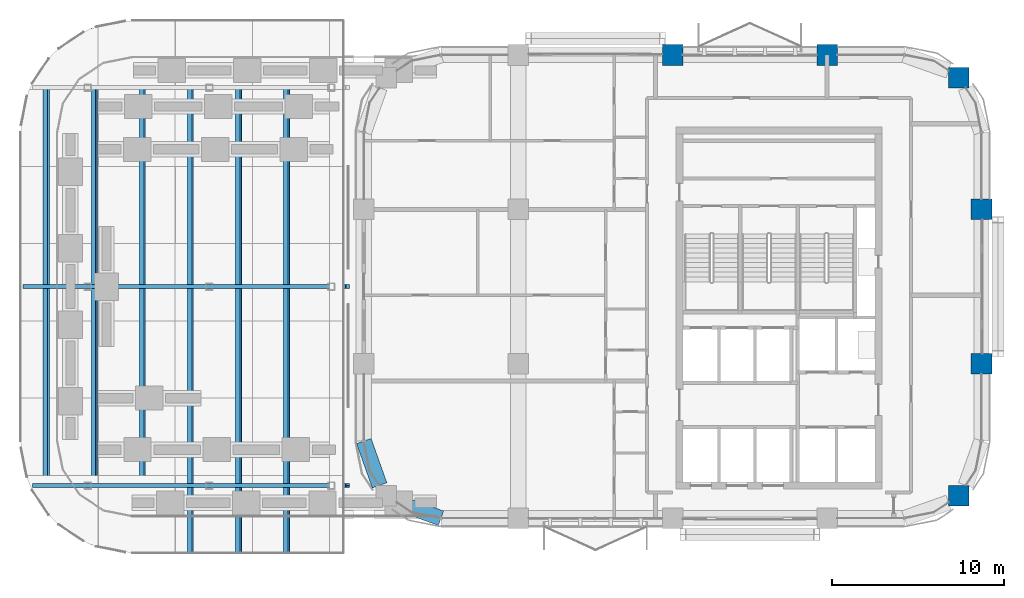
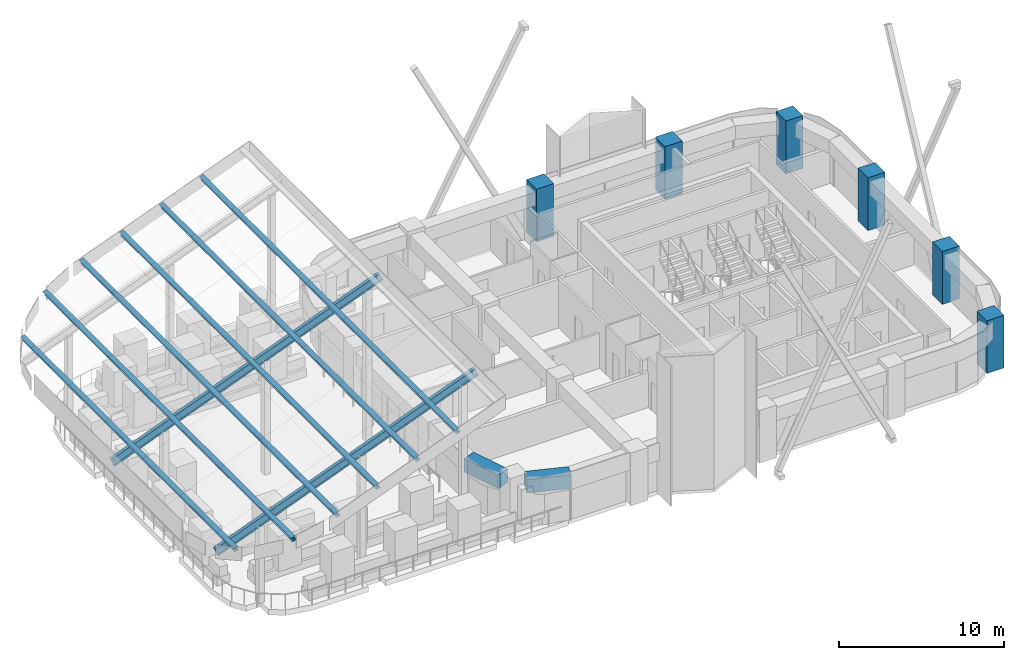
# One storey, part 2 of 13: 8 members, 6 columns, 2 beams.
"""IFC4 building model written with IfcOpenShell, lengths in metres."""

from ifc_helpers import new_model, si_unit, direction, frame, origin, origin_2d, place, context, subcontext, project, spatial, rectangle, i_section, extrude, material, material_profile, profile_set, type_object, element, save


model = new_model("IFC4")

# Units and contexts
model_context = context("Model", 3, precision=1e-05, world=origin(), true_north=direction((0.0, 1.0)))
body_context = subcontext(model_context, "Body", "Model", "MODEL_VIEW")
ifc_project = project(units=[si_unit("LENGTHUNIT", "METRE"), si_unit("AREAUNIT", "SQUARE_METRE"), si_unit("VOLUMEUNIT", "CUBIC_METRE"), si_unit("PLANEANGLEUNIT", "RADIAN"), si_unit("MASSUNIT", "GRAM", prefix="KILO")], contexts=[model_context])

# Site, building, storey
site_placement = place(None, origin())
site = spatial("IfcSite", under=ifc_project, at=site_placement, CompositionType="ELEMENT")
building_placement = place(site_placement, origin())
building = spatial("IfcBuilding", under=site, at=building_placement, Name="Tessera Arch", CompositionType="ELEMENT")
storey_placement = place(building_placement, frame((0.0, 0.0, 234.5)))
storey = spatial("IfcBuildingStorey", under=building, at=storey_placement, Name="L56", CompositionType="ELEMENT", Elevation=234.5)

# Columns
ifc_material_1 = material(Name="Concrete C60/75", Category="concrete")
ifc_material_profile_1 = material_profile(ifc_material_1, rectangle(XDim=1.199951171875, YDim=1.199951171875, at=origin_2d()), Name="RC column 1200 x 1200 Concrete C60/75")
ifc_profile_set_1 = profile_set([ifc_material_profile_1], Name="Concrete C60/75")
column_type = type_object("IfcColumnType", Name="RC column 1200 x 1200 Concrete C60/75", PredefinedType="COLUMN", material=ifc_profile_set_1)
for number, where, z_axis, x_axis, name in (
    (1, (36.0, 54.0, 0.0), (0.0, 0.0, 1.0), (1.0, 0.0, 0.0), "Column C5G L56"),
    (2, (45.0, 54.0, 0.0), (0.0, 0.0, 1.0), (1.0, 0.0, 0.0), "Column C6G L56"),
    (3, (52.681884765625, 28.318115234375, 0.0), (0.0, 0.0, 1.0), (1.0, 0.0, 0.0), "Column C7D L56"),
    (4, (54.0, 36.0, 0.0), (0.0, 0.0, 1.0), (1.0, 0.0, 0.0), "Column C7E L56"),
    (5, (54.0, 45.0, 0.0), (0.0, 0.0, 1.0), (1.0, 0.0, 0.0), "Column C7F L56"),
    (6, (52.681884765625, 52.681884765625, 0.0), (0.0, 0.0, 1.0), (1.0, 0.0, 0.0), "Column C7G L56"),
):
    element("IfcColumn", number, at=place(storey_placement, frame(where, z_axis=z_axis, x_axis=x_axis)), inside=storey, type_object=column_type, Name=name, PredefinedType="COLUMN", context=body_context, shape_type="SweptSolid", body=[
        extrude(rectangle(XDim=1.199951171875, YDim=1.199951171875, at=origin_2d()), origin(), (0.0, 0.0, 1.0), 3.89990234375),
    ])

# Members
ifc_material_2 = material(Name="Steel A992 Gr50", Category="steel")
ifc_material_profile_2 = material_profile(ifc_material_2, i_section(OverallWidth=0.3046875, OverallDepth=0.307861328125, WebThickness=0.010009765625, FlangeThickness=0.015380859375, at=origin_2d()), Name="W12x65")
ifc_profile_set_2 = profile_set([ifc_material_profile_2], Name="Steel A992 Gr50")
member_type_1 = type_object("IfcMemberType", Name="Canopy purlin W12x65", PredefinedType="PURLIN", material=ifc_profile_set_2)
member_1_placement = place(storey_placement, frame((-0.515869140625, 27.588134765625, 5.51904296875), z_axis=(0.0, 1.0, 0.0), x_axis=(-0.933580426497, 0.0, -0.358367949545)))
element("IfcMember", 7, at=member_1_placement, inside=storey, type_object=member_type_1, Name="Canopy purlin T2-1", PredefinedType="PURLIN", context=body_context, shape_type="SweptSolid", body=[
    extrude(i_section(OverallWidth=0.3046875, OverallDepth=0.307861328125, WebThickness=0.010009765625, FlangeThickness=0.015380859375, at=origin_2d()), origin(), (0.0, 0.0, 1.0), 25.82373046875),
])
member_2_placement = place(storey_placement, frame((2.284912109375, 25.43017578125, 6.59423828125), z_axis=(0.0, 1.0, 0.0), x_axis=(-0.933580426497, 0.0, -0.358367949545)))
element("IfcMember", 8, at=member_2_placement, inside=storey, type_object=member_type_1, Name="Canopy purlin T2-2", PredefinedType="PURLIN", context=body_context, shape_type="SweptSolid", body=[
    extrude(i_section(OverallWidth=0.3046875, OverallDepth=0.307861328125, WebThickness=0.010009765625, FlangeThickness=0.015380859375, at=origin_2d()), origin(), (0.0, 0.0, 1.0), 30.1396484375),
])
for number, where, z_axis, x_axis, name in (
    (9, (5.085693359375, 25.0, 7.66943359375), (0.0, 1.0, 0.0), (-0.933580426497, 0.0, -0.358367949545), "Canopy purlin T2-3"),
    (10, (7.886474609375, 25.0, 8.744384765625), (0.0, 1.0, 0.0), (-0.933580426497, 0.0, -0.358367949545), "Canopy purlin T2-4"),
    (11, (10.687255859375, 25.0, 9.819580078125), (0.0, 1.0, 0.0), (-0.933580426497, 0.0, -0.358367949545), "Canopy purlin T2-5"),
    (12, (13.48779296875, 25.0, 10.894775390625), (0.0, 1.0, 0.0), (-0.933580426497, 0.0, -0.358367949545), "Canopy purlin T2-6"),
):
    element("IfcMember", number, at=place(storey_placement, frame(where, z_axis=z_axis, x_axis=x_axis)), inside=storey, type_object=member_type_1, Name=name, PredefinedType="PURLIN", context=body_context, shape_type="SweptSolid", body=[
        extrude(i_section(OverallWidth=0.3046875, OverallDepth=0.307861328125, WebThickness=0.010009765625, FlangeThickness=0.015380859375, at=origin_2d()), origin(), (0.0, 0.0, 1.0), 31.0),
    ])
ifc_material_3 = material(Name="Steel A992 Gr50", Category="steel")
ifc_material_profile_3 = material_profile(ifc_material_3, i_section(OverallWidth=0.230224609375, OverallDepth=0.617431640625, WebThickness=0.01318359375, FlangeThickness=0.022216796875, at=origin_2d()), Name="W24x94")
ifc_profile_set_3 = profile_set([ifc_material_profile_3], Name="Steel A992 Gr50")
member_type_2 = type_object("IfcMemberType", Name="Canopy rib W24x94", PredefinedType="RAFTER", material=ifc_profile_set_3)
member_3_placement = place(storey_placement, frame((-1.203369140625, 28.89990234375, 4.759521484375), z_axis=(0.933577129053, 0.0, 0.358376539562), x_axis=(0.0, 1.0, 0.0)))
element("IfcMember", 13, at=member_3_placement, inside=storey, type_object=member_type_2, Name="Canopy rib T2-1", PredefinedType="RAFTER", context=body_context, shape_type="SweptSolid", body=[
    extrude(i_section(OverallWidth=0.230224609375, OverallDepth=0.617431640625, WebThickness=0.01318359375, FlangeThickness=0.022216796875, at=origin_2d()), origin(), (0.0, 0.0, 1.0), 19.551513671875),
])
member_4_placement = place(storey_placement, frame((-1.75048828125, 40.5, 4.549560546875), z_axis=(0.933578195676, 0.0, 0.358373760979), x_axis=(0.0, 1.0, 0.0)))
element("IfcMember", 14, at=member_4_placement, inside=storey, type_object=member_type_2, Name="Canopy rib T2-2", PredefinedType="RAFTER", context=body_context, shape_type="SweptSolid", body=[
    extrude(i_section(OverallWidth=0.230224609375, OverallDepth=0.617431640625, WebThickness=0.01318359375, FlangeThickness=0.022216796875, at=origin_2d()), origin(), (0.0, 0.0, 1.0), 20.1376953125),
])

# Beams
ifc_material_4 = material(Name="Concrete C60/75", Category="concrete")
ifc_material_profile_4 = material_profile(ifc_material_4, rectangle(XDim=0.89990234375, YDim=1.0, at=origin_2d()), Name="RC spandrel beam 900 x 1000 Concrete C60/75")
ifc_profile_set_4 = profile_set([ifc_material_profile_4], Name="Concrete C60/75")
beam_type = type_object("IfcBeamType", Name="RC spandrel beam 900 x 1000 Concrete C60/75", PredefinedType="BEAM", material=ifc_profile_set_4)
for number, where, z_axis, x_axis, name in (
    (15, (18.0, 31.5, 3.10009765625), (0.334665114373, -0.942337127159, 0.0), (0.942337127159, 0.334665114373, 0.0), "Spandrel beam L56 W18.27/2.2"),
    (16, (19.91796875, 27.9169921875, 3.10009765625), (0.942337127159, -0.334665114373, 0.0), (0.334665114373, 0.942337127159, 0.0), "Spandrel beam L56 S27.18/0.1"),
):
    element("IfcBeam", number, at=place(storey_placement, frame(where, z_axis=z_axis, x_axis=x_axis)), inside=storey, type_object=beam_type, Name=name, PredefinedType="BEAM", context=body_context, shape_type="SweptSolid", body=[
        extrude(rectangle(XDim=0.89990234375, YDim=1.0, at=origin_2d()), origin(), (0.0, 0.0, 1.0), 2.739990234375),
    ])

save(model, "model.ifc")
